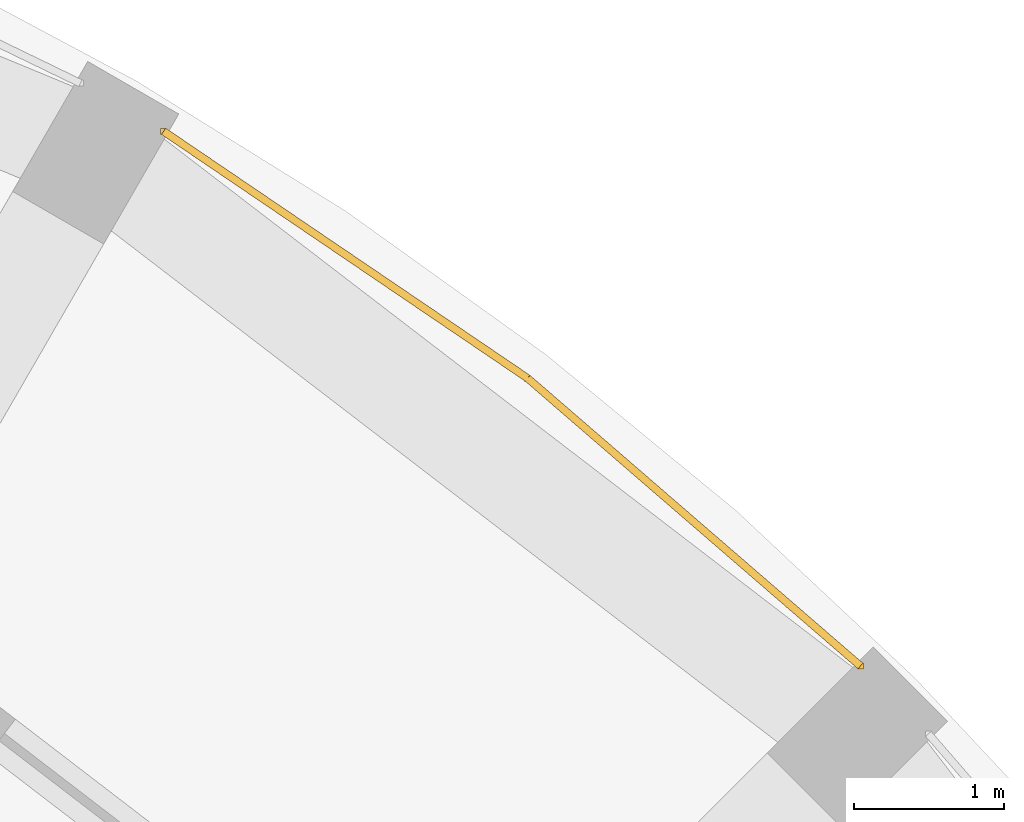
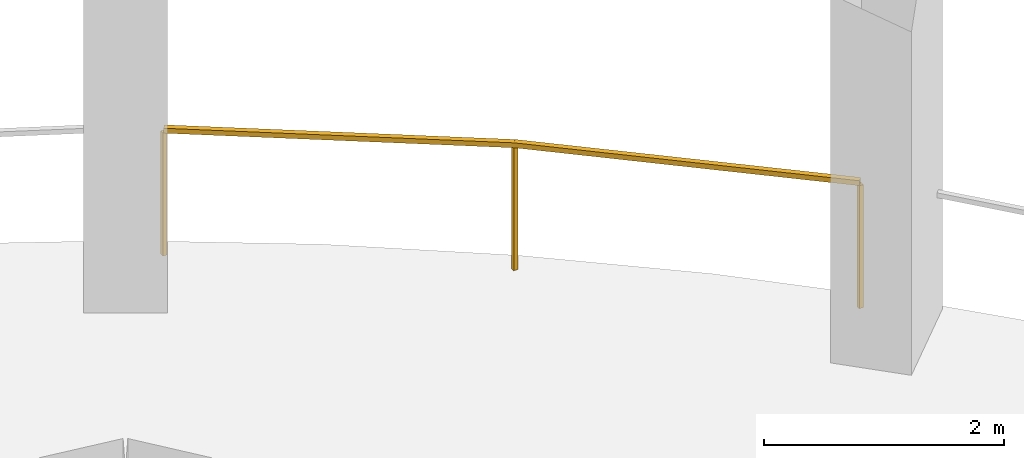
# One storey, part 8 of 8: 1 railing.
"""IFC4 building model written with IfcOpenShell, lengths in metres."""

from ifc_helpers import new_model, si_unit, direction, frame, origin, origin_2d, place, context, subcontext, project, spatial, rectangle, extrude, material, type_object, element, save


model = new_model("IFC4")

# Units and contexts
model_context = context("Model", 3, precision=1e-05, world=origin(), true_north=direction((0.0, 1.0)))
body_context = subcontext(model_context, "Body", "Model", "MODEL_VIEW")
ifc_project = project(units=[si_unit("LENGTHUNIT", "METRE"), si_unit("AREAUNIT", "SQUARE_METRE"), si_unit("VOLUMEUNIT", "CUBIC_METRE"), si_unit("PLANEANGLEUNIT", "RADIAN"), si_unit("MASSUNIT", "GRAM", prefix="KILO")], contexts=[model_context])

# Site, building, storey
site_placement = place(None, origin())
site = spatial("IfcSite", under=ifc_project, at=site_placement, CompositionType="ELEMENT")
building_placement = place(site_placement, origin())
building = spatial("IfcBuilding", under=site, at=building_placement, Name="Torre Triforio", CompositionType="ELEMENT")
storey_placement = place(building_placement, frame((0.0, 0.0, 127.60009765625)))
storey = spatial("IfcBuildingStorey", under=building, at=storey_placement, Name="L28", CompositionType="ELEMENT", Elevation=127.60009765625)

# Railing
ifc_material = material(Name="Stainless steel AISI 316", Category="steel")
railing_type = type_object("IfcRailingType", Name="Loggia guard 1300", PredefinedType="GUARDRAIL", material=ifc_material)
railing_placement = place(storey_placement, frame((17.34521484375, 17.7978515625, 0.0)))
element("IfcRailing", 1, at=railing_placement, inside=storey, type_object=railing_type, Name="Loggia guard L28 bay 04", PredefinedType="GUARDRAIL", context=body_context, shape_type="SweptSolid", body=[
    extrude(rectangle(XDim=0.050048828125, YDim=0.050048828125, at=origin_2d()), frame((0.0, 0.0, 1.27490234375), z_axis=(-0.756510170049, 0.653981928353, 0.0), x_axis=(-0.653981928353, -0.756510170049, 0.0)), (0.0, 0.0, 1.0), 2.93115234375),
    extrude(rectangle(XDim=0.050048828125, YDim=0.050048828125, at=origin_2d()), frame((-2.217529296875, 1.9169921875, 1.27490234375), z_axis=(-0.827499269821, 0.561466791934, 0.0), x_axis=(-0.561466791934, -0.827499269821, 0.0)), (0.0, 0.0, 1.0), 2.93115234375),
    extrude(rectangle(XDim=0.0400390625, YDim=0.0400390625, at=origin_2d()), origin(), (0.0, 0.0, 1.0), 1.25),
    extrude(rectangle(XDim=0.0400390625, YDim=0.0400390625, at=origin_2d()), frame((-2.217529296875, 1.9169921875, 0.0)), (0.0, 0.0, 1.0), 1.25),
    extrude(rectangle(XDim=0.0400390625, YDim=0.0400390625, at=origin_2d()), frame((-4.64306640625, 3.562744140625, 0.0)), (0.0, 0.0, 1.0), 1.25),
])

save(model, "model.ifc")
